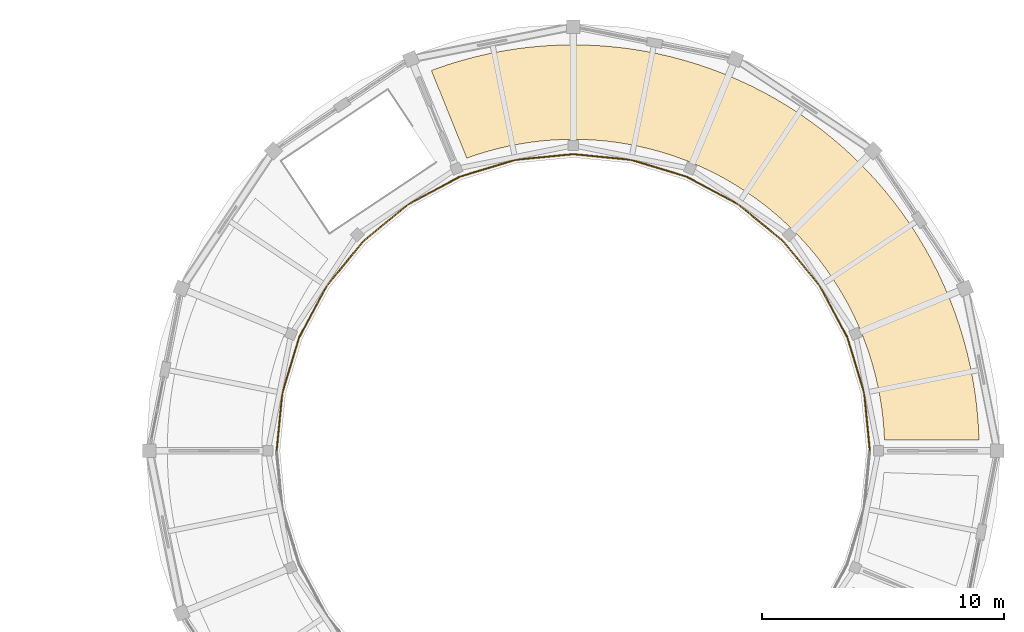
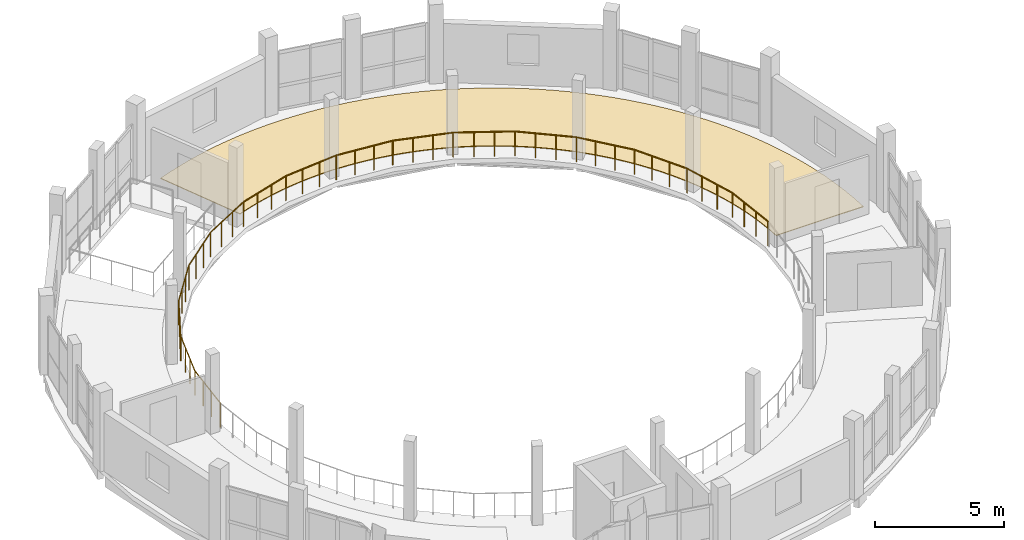
# One storey, part 77 of 77: 1 covering, 1 railing.
"""IFC4 building model written with IfcOpenShell, lengths in metres."""

from ifc_helpers import new_model, si_unit, direction, frame, origin, origin_2d, place, context, subcontext, project, spatial, polyline, circle, outline, extrude, material, layer, layer_set, type_object, element, save


model = new_model("IFC4")

# Units and contexts
model_context = context("Model", 3, precision=1e-05, world=origin(), true_north=direction((0.0, 1.0)))
body_context = subcontext(model_context, "Body", "Model", "MODEL_VIEW")
ifc_project = project(units=[si_unit("LENGTHUNIT", "METRE"), si_unit("AREAUNIT", "SQUARE_METRE"), si_unit("VOLUMEUNIT", "CUBIC_METRE"), si_unit("PLANEANGLEUNIT", "RADIAN"), si_unit("MASSUNIT", "GRAM", prefix="KILO")], contexts=[model_context])

# Site, building, storey
site_placement = place(None, origin())
site = spatial("IfcSite", under=ifc_project, at=site_placement, CompositionType="ELEMENT")
building_placement = place(site_placement, origin())
building = spatial("IfcBuilding", under=site, at=building_placement, Name="Caldaven Crescent School", CompositionType="ELEMENT")
storey_placement = place(building_placement, frame((0.0, 0.0, 4.419921875)))
storey = spatial("IfcBuildingStorey", under=building, at=storey_placement, Name="L01", CompositionType="ELEMENT", Elevation=4.419921875)

# Covering
ifc_material_1 = material(Name="Polished terrazzo and acoustic linoleum flooring")
ifc_layer = layer(ifc_material_1, 0.031982421875)
ifc_layer_set = layer_set([ifc_layer], Name="Polished terrazzo and acoustic linoleum flooring")
covering_type = type_object("IfcCoveringType", Name="COV-FLR3", PredefinedType="FLOORING", material=ifc_layer_set)
covering_placement = place(storey_placement, origin())
element("IfcCovering", 1, at=covering_placement, inside=storey, type_object=covering_type, Name="FLR-L01-011", PredefinedType="FLOORING", context=body_context, shape_type="SweptSolid", body=[
    extrude(outline(polyline([(148.1064453125, 110.575439453125), (146.6455078125, 114.191650390625), (146.771240234375, 114.23974609375), (147.323974609375, 114.43017578125), (147.883056640625, 114.60107421875), (148.44775390625, 114.75244140625), (149.017578125, 114.8837890625), (149.591552734375, 114.99560546875), (150.168701171875, 115.0869140625), (150.7490234375, 115.158203125), (151.33154296875, 115.208984375), (151.915283203125, 115.23974609375), (152.5, 115.25), (153.084716796875, 115.23974609375), (153.66845703125, 115.208984375), (154.2509765625, 115.158203125), (154.831298828125, 115.0869140625), (155.408447265625, 114.99560546875), (155.982421875, 114.8837890625), (156.55224609375, 114.75244140625), (157.116943359375, 114.60107421875), (157.676025390625, 114.43017578125), (158.228759765625, 114.23974609375), (158.774658203125, 114.0302734375), (159.312744140625, 113.8017578125), (159.8427734375, 113.5546875), (160.363525390625, 113.289306640625), (160.875, 113.005859375), (161.376220703125, 112.70458984375), (161.866455078125, 112.38623046875), (162.345458984375, 112.051025390625), (162.812255859375, 111.69921875), (163.2666015625, 111.331298828125), (163.707763671875, 110.947509765625), (164.135498046875, 110.548828125), (164.548828125, 110.135498046875), (164.947509765625, 109.707763671875), (165.331298828125, 109.2666015625), (165.69921875, 108.812255859375), (166.051025390625, 108.345458984375), (166.38623046875, 107.866455078125), (166.70458984375, 107.376220703125), (167.005859375, 106.875), (167.289306640625, 106.363525390625), (167.5546875, 105.8427734375), (167.8017578125, 105.312744140625), (168.0302734375, 104.774658203125), (168.23974609375, 104.228759765625), (168.43017578125, 103.676025390625), (168.60107421875, 103.116943359375), (168.75244140625, 102.55224609375), (168.8837890625, 101.982421875), (168.99560546875, 101.408447265625), (169.0869140625, 100.831298828125), (169.158203125, 100.2509765625), (169.208984375, 99.66845703125), (169.23974609375, 99.084716796875), (169.2421875, 98.949951171875), (165.342041015625, 98.949951171875), (165.341796875, 98.956298828125), (165.319091796875, 99.388427734375), (165.318115234375, 99.404296875), (165.280517578125, 99.83544921875), (165.27880859375, 99.85107421875), (165.225830078125, 100.280517578125), (165.223876953125, 100.296142578125), (165.156005859375, 100.7236328125), (165.1533203125, 100.739013671875), (165.07080078125, 101.1640625), (165.0673828125, 101.17919921875), (164.97021484375, 101.60107421875), (164.96630859375, 101.6162109375), (164.854248046875, 102.034423828125), (164.849853515625, 102.04931640625), (164.723388671875, 102.46337890625), (164.718505859375, 102.478271484375), (164.57763671875, 102.8876953125), (164.572265625, 102.90234375), (164.417236328125, 103.306396484375), (164.411376953125, 103.32080078125), (164.2421875, 103.71923828125), (164.23583984375, 103.733642578125), (164.052734375, 104.1259765625), (164.0458984375, 104.139892578125), (163.849609375, 104.525634765625), (163.84228515625, 104.53955078125), (163.63232421875, 104.918212890625), (163.62451171875, 104.931884765625), (163.401611328125, 105.302734375), (163.393310546875, 105.316162109375), (163.157470703125, 105.67919921875), (163.148681640625, 105.692138671875), (162.900390625, 106.046630859375), (162.89111328125, 106.059326171875), (162.630615234375, 106.405029296875), (162.62109375, 106.417236328125), (162.348876953125, 106.753662109375), (162.338623046875, 106.765869140625), (162.0546875, 107.092529296875), (162.044189453125, 107.10400390625), (161.748779296875, 107.420654296875), (161.738037109375, 107.431884765625), (161.431884765625, 107.738037109375), (161.420654296875, 107.748779296875), (161.10400390625, 108.044189453125), (161.092529296875, 108.0546875), (160.765869140625, 108.338623046875), (160.753662109375, 108.348876953125), (160.417236328125, 108.62109375), (160.405029296875, 108.630615234375), (160.059326171875, 108.89111328125), (160.046630859375, 108.900390625), (159.692138671875, 109.148681640625), (159.67919921875, 109.157470703125), (159.316162109375, 109.393310546875), (159.302734375, 109.401611328125), (158.931884765625, 109.62451171875), (158.918212890625, 109.63232421875), (158.53955078125, 109.842041015625), (158.525634765625, 109.849365234375), (158.14013671875, 110.0458984375), (158.1259765625, 110.052734375), (157.733642578125, 110.23583984375), (157.71923828125, 110.2421875), (157.32080078125, 110.411376953125), (157.306396484375, 110.417236328125), (156.90234375, 110.572265625), (156.8876953125, 110.57763671875), (156.478271484375, 110.718505859375), (156.46337890625, 110.723388671875), (156.04931640625, 110.849853515625), (156.034423828125, 110.854248046875), (155.6162109375, 110.96630859375), (155.60107421875, 110.97021484375), (155.17919921875, 111.0673828125), (155.1640625, 111.07080078125), (154.739013671875, 111.1533203125), (154.7236328125, 111.156005859375), (154.296142578125, 111.223876953125), (154.280517578125, 111.225830078125), (153.85107421875, 111.27880859375), (153.83544921875, 111.280517578125), (153.404296875, 111.318115234375), (153.388427734375, 111.319091796875), (152.956298828125, 111.341796875), (152.940673828125, 111.34228515625), (152.5078125, 111.349853515625), (152.4921875, 111.349853515625), (152.059326171875, 111.34228515625), (152.043701171875, 111.341796875), (151.611572265625, 111.319091796875), (151.595703125, 111.318115234375), (151.16455078125, 111.280517578125), (151.14892578125, 111.27880859375), (150.719482421875, 111.225830078125), (150.703857421875, 111.223876953125), (150.2763671875, 111.156005859375), (150.260986328125, 111.1533203125), (149.8359375, 111.07080078125), (149.82080078125, 111.0673828125), (149.39892578125, 110.97021484375), (149.3837890625, 110.96630859375), (148.965576171875, 110.854248046875), (148.95068359375, 110.849853515625), (148.53662109375, 110.723388671875), (148.521728515625, 110.718505859375), (148.1123046875, 110.57763671875), (148.1064453125, 110.575439453125)])), origin(), (0.0, 0.0, 1.0), 0.031982421875),
])

# Railing
ifc_material_2 = material(Name="Powder-coated tubular steel balustrade ASTM A572 Grade 50", Category="steel")
railing_type = type_object("IfcRailingType", Name="RAL-INT4", PredefinedType="BALUSTRADE", material=ifc_material_2)
railing_placement = place(storey_placement, frame((164.737060546875, 98.52978515625, 0.0)))
element("IfcRailing", 2, at=railing_placement, inside=storey, type_object=railing_type, Name="GD-GAL-V1-L01-A", PredefinedType="BALUSTRADE", context=body_context, shape_type="SweptSolid", body=[
    extrude(circle(Radius=0.02392578125, at=origin_2d()), frame((0.0, 0.0, 1.15576171875), z_axis=(-0.097983622936, 0.995188027277, 0.0), x_axis=(-0.995188027277, -0.097983622936, 0.0)), (0.0, 0.0, 1.0), 2.36962890625),
    extrude(circle(Radius=0.02392578125, at=origin_2d()), frame((-0.232177734375, 2.358154296875, 1.15576171875), z_axis=(-0.290286954493, 0.956939644937, 0.0), x_axis=(-0.956939644937, -0.290286954493, 0.0)), (0.0, 0.0, 1.0), 2.3994140625),
    extrude(circle(Radius=0.02392578125, at=origin_2d()), frame((-0.9287109375, 4.654296875, 1.15576171875), z_axis=(-0.471385457832, 0.881927293004, 0.0), x_axis=(-0.881927293004, -0.471385457832, 0.0)), (0.0, 0.0, 1.0), 2.3994140625),
    extrude(circle(Radius=0.02392578125, at=origin_2d()), frame((-2.059814453125, 6.7705078125, 1.15576171875), z_axis=(-0.634411720209, 0.772995322923, 0.0), x_axis=(-0.772995322923, -0.634411720209, 0.0)), (0.0, 0.0, 1.0), 2.3994140625),
    extrude(circle(Radius=0.02392578125, at=origin_2d()), frame((-3.58203125, 8.625244140625, 1.15576171875), z_axis=(-0.772995322923, 0.634411720209, 0.0), x_axis=(-0.634411720209, -0.772995322923, 0.0)), (0.0, 0.0, 1.0), 2.3994140625),
    extrude(circle(Radius=0.02392578125, at=origin_2d()), frame((-5.436767578125, 10.1474609375, 1.15576171875), z_axis=(-0.881927293004, 0.471385457832, 0.0), x_axis=(-0.471385457832, -0.881927293004, 0.0)), (0.0, 0.0, 1.0), 2.3994140625),
    extrude(circle(Radius=0.02392578125, at=origin_2d()), frame((-7.552978515625, 11.278564453125, 1.15576171875), z_axis=(-0.956939644937, 0.290286954493, 0.0), x_axis=(-0.290286954493, -0.956939644937, 0.0)), (0.0, 0.0, 1.0), 2.3994140625),
    extrude(circle(Radius=0.02392578125, at=origin_2d()), frame((-9.84912109375, 11.97509765625, 1.15576171875), z_axis=(-0.995188144376, 0.097982433599, 0.0), x_axis=(-0.097982433599, -0.995188144376, 0.0)), (0.0, 0.0, 1.0), 2.3994140625),
    extrude(circle(Radius=0.02392578125, at=origin_2d()), frame((-12.237060546875, 12.210205078125, 1.15576171875), z_axis=(-0.995188144376, -0.097982433599, 0.0), x_axis=(0.097982433599, -0.995188144376, 0.0)), (0.0, 0.0, 1.0), 2.3994140625),
    extrude(circle(Radius=0.02392578125, at=origin_2d()), frame((-14.625, 11.97509765625, 1.15576171875), z_axis=(-0.956939644937, -0.290286954493, 0.0), x_axis=(0.290286954493, -0.956939644937, 0.0)), (0.0, 0.0, 1.0), 2.3994140625),
    extrude(circle(Radius=0.02392578125, at=origin_2d()), frame((-16.921142578125, 11.278564453125, 1.15576171875), z_axis=(-0.881927293004, -0.471385457832, 0.0), x_axis=(0.471385457832, -0.881927293004, 0.0)), (0.0, 0.0, 1.0), 2.3994140625),
    extrude(circle(Radius=0.02392578125, at=origin_2d()), frame((-19.037353515625, 10.1474609375, 1.15576171875), z_axis=(-0.772995322923, -0.634411720209, 0.0), x_axis=(0.634411720209, -0.772995322923, 0.0)), (0.0, 0.0, 1.0), 2.3994140625),
    extrude(circle(Radius=0.02392578125, at=origin_2d()), frame((-20.89208984375, 8.625244140625, 1.15576171875), z_axis=(-0.634411720209, -0.772995322923, 0.0), x_axis=(0.772995322923, -0.634411720209, 0.0)), (0.0, 0.0, 1.0), 2.3994140625),
    extrude(circle(Radius=0.02392578125, at=origin_2d()), frame((-22.414306640625, 6.7705078125, 1.15576171875), z_axis=(-0.471385457832, -0.881927293004, 0.0), x_axis=(0.881927293004, -0.471385457832, 0.0)), (0.0, 0.0, 1.0), 2.3994140625),
    extrude(circle(Radius=0.02392578125, at=origin_2d()), frame((-23.54541015625, 4.654296875, 1.15576171875), z_axis=(-0.290286954493, -0.956939644937, 0.0), x_axis=(0.956939644937, -0.290286954493, 0.0)), (0.0, 0.0, 1.0), 2.3994140625),
    extrude(circle(Radius=0.02392578125, at=origin_2d()), frame((-24.241943359375, 2.358154296875, 1.15576171875), z_axis=(-0.097983622936, -0.995188027277, 0.0), x_axis=(0.995188027277, -0.097983622936, 0.0)), (0.0, 0.0, 1.0), 2.36962890625),
    extrude(circle(Radius=0.02099609375, at=origin_2d()), origin(), (0.0, 0.0, 1.0), 1.1318359375),
    extrude(circle(Radius=0.02099609375, at=origin_2d()), frame((-0.077392578125, 0.7861328125, 0.0)), (0.0, 0.0, 1.0), 1.1318359375),
    extrude(circle(Radius=0.02099609375, at=origin_2d()), frame((-0.15478515625, 1.572021484375, 0.0)), (0.0, 0.0, 1.0), 1.1318359375),
    extrude(circle(Radius=0.02099609375, at=origin_2d()), frame((-0.232177734375, 2.358154296875, 0.0)), (0.0, 0.0, 1.0), 1.1318359375),
    extrude(circle(Radius=0.02099609375, at=origin_2d()), frame((-0.46435546875, 3.12353515625, 0.0)), (0.0, 0.0, 1.0), 1.1318359375),
    extrude(circle(Radius=0.02099609375, at=origin_2d()), frame((-0.696533203125, 3.888916015625, 0.0)), (0.0, 0.0, 1.0), 1.1318359375),
    extrude(circle(Radius=0.02099609375, at=origin_2d()), frame((-0.9287109375, 4.654296875, 0.0)), (0.0, 0.0, 1.0), 1.1318359375),
    extrude(circle(Radius=0.02099609375, at=origin_2d()), frame((-1.3056640625, 5.359619140625, 0.0)), (0.0, 0.0, 1.0), 1.1318359375),
    extrude(circle(Radius=0.02099609375, at=origin_2d()), frame((-1.682861328125, 6.065185546875, 0.0)), (0.0, 0.0, 1.0), 1.1318359375),
    extrude(circle(Radius=0.02099609375, at=origin_2d()), frame((-2.059814453125, 6.7705078125, 0.0)), (0.0, 0.0, 1.0), 1.1318359375),
    extrude(circle(Radius=0.02099609375, at=origin_2d()), frame((-2.567138671875, 7.388671875, 0.0)), (0.0, 0.0, 1.0), 1.1318359375),
    extrude(circle(Radius=0.02099609375, at=origin_2d()), frame((-3.07470703125, 8.007080078125, 0.0)), (0.0, 0.0, 1.0), 1.1318359375),
    extrude(circle(Radius=0.02099609375, at=origin_2d()), frame((-3.58203125, 8.625244140625, 0.0)), (0.0, 0.0, 1.0), 1.1318359375),
    extrude(circle(Radius=0.02099609375, at=origin_2d()), frame((-4.2001953125, 9.132568359375, 0.0)), (0.0, 0.0, 1.0), 1.1318359375),
    extrude(circle(Radius=0.02099609375, at=origin_2d()), frame((-4.818603515625, 9.64013671875, 0.0)), (0.0, 0.0, 1.0), 1.1318359375),
    extrude(circle(Radius=0.02099609375, at=origin_2d()), frame((-5.436767578125, 10.1474609375, 0.0)), (0.0, 0.0, 1.0), 1.1318359375),
    extrude(circle(Radius=0.02099609375, at=origin_2d()), frame((-6.14208984375, 10.5244140625, 0.0)), (0.0, 0.0, 1.0), 1.1318359375),
    extrude(circle(Radius=0.02099609375, at=origin_2d()), frame((-6.84765625, 10.901611328125, 0.0)), (0.0, 0.0, 1.0), 1.1318359375),
    extrude(circle(Radius=0.02099609375, at=origin_2d()), frame((-7.552978515625, 11.278564453125, 0.0)), (0.0, 0.0, 1.0), 1.1318359375),
    extrude(circle(Radius=0.02099609375, at=origin_2d()), frame((-8.318359375, 11.5107421875, 0.0)), (0.0, 0.0, 1.0), 1.1318359375),
    extrude(circle(Radius=0.02099609375, at=origin_2d()), frame((-9.083740234375, 11.742919921875, 0.0)), (0.0, 0.0, 1.0), 1.1318359375),
    extrude(circle(Radius=0.02099609375, at=origin_2d()), frame((-9.84912109375, 11.97509765625, 0.0)), (0.0, 0.0, 1.0), 1.1318359375),
    extrude(circle(Radius=0.02099609375, at=origin_2d()), frame((-10.64501953125, 12.053466796875, 0.0)), (0.0, 0.0, 1.0), 1.1318359375),
    extrude(circle(Radius=0.02099609375, at=origin_2d()), frame((-11.441162109375, 12.1318359375, 0.0)), (0.0, 0.0, 1.0), 1.1318359375),
    extrude(circle(Radius=0.02099609375, at=origin_2d()), frame((-12.237060546875, 12.210205078125, 0.0)), (0.0, 0.0, 1.0), 1.1318359375),
    extrude(circle(Radius=0.02099609375, at=origin_2d()), frame((-13.032958984375, 12.1318359375, 0.0)), (0.0, 0.0, 1.0), 1.1318359375),
    extrude(circle(Radius=0.02099609375, at=origin_2d()), frame((-13.8291015625, 12.053466796875, 0.0)), (0.0, 0.0, 1.0), 1.1318359375),
    extrude(circle(Radius=0.02099609375, at=origin_2d()), frame((-14.625, 11.97509765625, 0.0)), (0.0, 0.0, 1.0), 1.1318359375),
    extrude(circle(Radius=0.02099609375, at=origin_2d()), frame((-15.390380859375, 11.742919921875, 0.0)), (0.0, 0.0, 1.0), 1.1318359375),
    extrude(circle(Radius=0.02099609375, at=origin_2d()), frame((-16.15576171875, 11.5107421875, 0.0)), (0.0, 0.0, 1.0), 1.1318359375),
    extrude(circle(Radius=0.02099609375, at=origin_2d()), frame((-16.921142578125, 11.278564453125, 0.0)), (0.0, 0.0, 1.0), 1.1318359375),
    extrude(circle(Radius=0.02099609375, at=origin_2d()), frame((-17.62646484375, 10.901611328125, 0.0)), (0.0, 0.0, 1.0), 1.1318359375),
    extrude(circle(Radius=0.02099609375, at=origin_2d()), frame((-18.33203125, 10.5244140625, 0.0)), (0.0, 0.0, 1.0), 1.1318359375),
    extrude(circle(Radius=0.02099609375, at=origin_2d()), frame((-19.037353515625, 10.1474609375, 0.0)), (0.0, 0.0, 1.0), 1.1318359375),
    extrude(circle(Radius=0.02099609375, at=origin_2d()), frame((-19.655517578125, 9.64013671875, 0.0)), (0.0, 0.0, 1.0), 1.1318359375),
    extrude(circle(Radius=0.02099609375, at=origin_2d()), frame((-20.27392578125, 9.132568359375, 0.0)), (0.0, 0.0, 1.0), 1.1318359375),
    extrude(circle(Radius=0.02099609375, at=origin_2d()), frame((-20.89208984375, 8.625244140625, 0.0)), (0.0, 0.0, 1.0), 1.1318359375),
    extrude(circle(Radius=0.02099609375, at=origin_2d()), frame((-21.3994140625, 8.007080078125, 0.0)), (0.0, 0.0, 1.0), 1.1318359375),
    extrude(circle(Radius=0.02099609375, at=origin_2d()), frame((-21.906982421875, 7.388671875, 0.0)), (0.0, 0.0, 1.0), 1.1318359375),
    extrude(circle(Radius=0.02099609375, at=origin_2d()), frame((-22.414306640625, 6.7705078125, 0.0)), (0.0, 0.0, 1.0), 1.1318359375),
    extrude(circle(Radius=0.02099609375, at=origin_2d()), frame((-22.791259765625, 6.065185546875, 0.0)), (0.0, 0.0, 1.0), 1.1318359375),
    extrude(circle(Radius=0.02099609375, at=origin_2d()), frame((-23.16845703125, 5.359619140625, 0.0)), (0.0, 0.0, 1.0), 1.1318359375),
    extrude(circle(Radius=0.02099609375, at=origin_2d()), frame((-23.54541015625, 4.654296875, 0.0)), (0.0, 0.0, 1.0), 1.1318359375),
    extrude(circle(Radius=0.02099609375, at=origin_2d()), frame((-23.777587890625, 3.888916015625, 0.0)), (0.0, 0.0, 1.0), 1.1318359375),
    extrude(circle(Radius=0.02099609375, at=origin_2d()), frame((-24.009765625, 3.12353515625, 0.0)), (0.0, 0.0, 1.0), 1.1318359375),
    extrude(circle(Radius=0.02099609375, at=origin_2d()), frame((-24.241943359375, 2.358154296875, 0.0)), (0.0, 0.0, 1.0), 1.1318359375),
    extrude(circle(Radius=0.02099609375, at=origin_2d()), frame((-24.3193359375, 1.572021484375, 0.0)), (0.0, 0.0, 1.0), 1.1318359375),
    extrude(circle(Radius=0.02099609375, at=origin_2d()), frame((-24.396728515625, 0.7861328125, 0.0)), (0.0, 0.0, 1.0), 1.1318359375),
    extrude(circle(Radius=0.02099609375, at=origin_2d()), frame((-24.47412109375, 0.0, 0.0)), (0.0, 0.0, 1.0), 1.1318359375),
])

save(model, "model.ifc")
